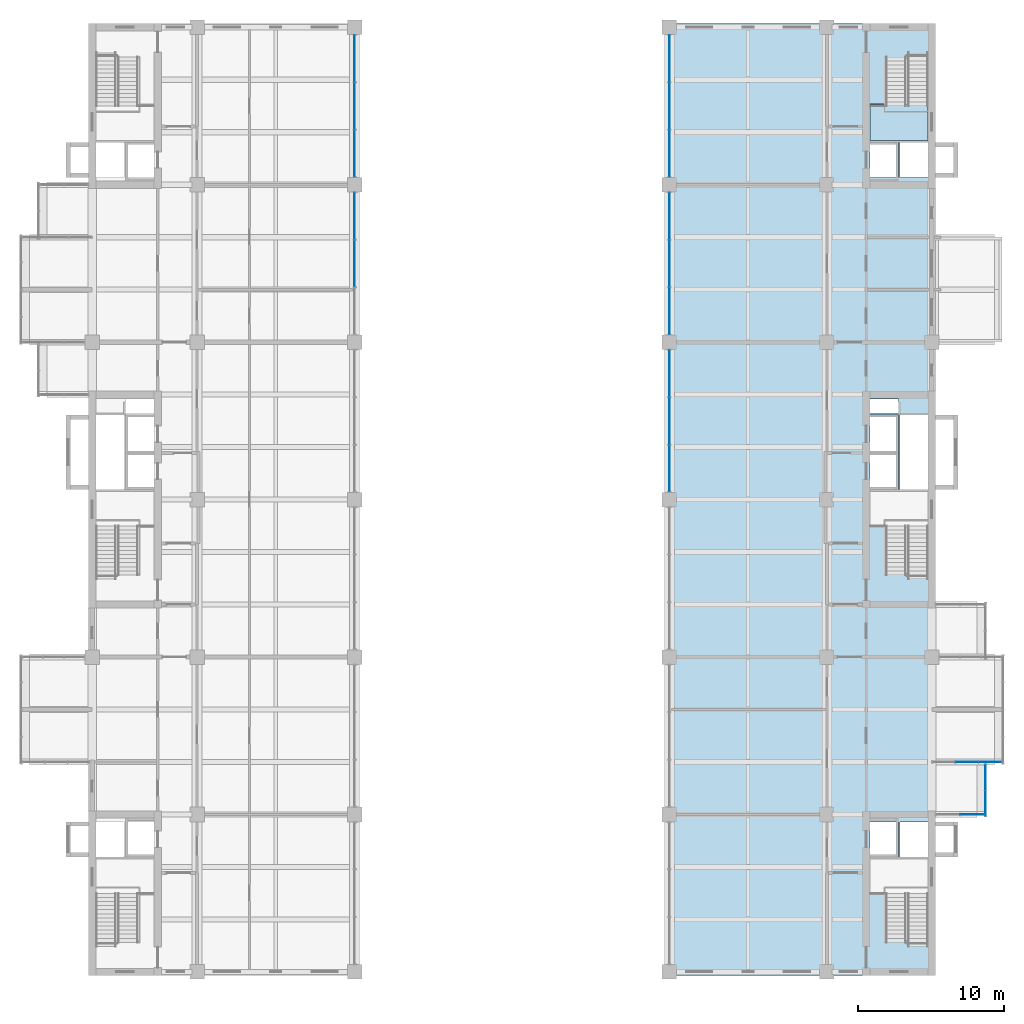
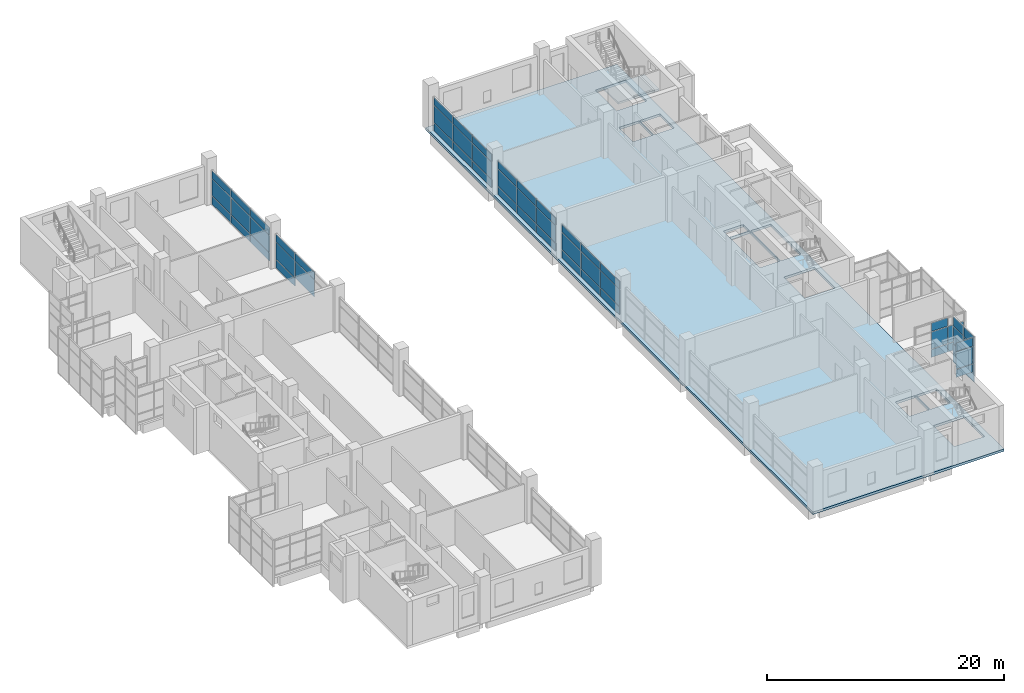
# One storey, part 19 of 30: 55 plates, 2 slabs, 9 elements without a shape of their own.
"""IFC4 building model written with IfcOpenShell, lengths in metres."""

from ifc_helpers import new_model, si_unit, direction, frame, origin, origin_2d, place, context, subcontext, project, spatial, polyline, rectangle, outline, extrude, material, layer, layer_set, type_object, element, aggregate, save


model = new_model("IFC4")

# Units and contexts
model_context = context("Model", 3, precision=1e-05, world=origin(), true_north=direction((0.0, 1.0)))
body_context = subcontext(model_context, "Body", "Model", "MODEL_VIEW")
ifc_project = project(units=[si_unit("LENGTHUNIT", "METRE"), si_unit("AREAUNIT", "SQUARE_METRE"), si_unit("VOLUMEUNIT", "CUBIC_METRE"), si_unit("PLANEANGLEUNIT", "RADIAN"), si_unit("MASSUNIT", "GRAM", prefix="KILO")], contexts=[model_context])

# Site, building, storey
site_placement = place(None, origin())
site = spatial("IfcSite", under=ifc_project, at=site_placement, CompositionType="ELEMENT")
building_placement = place(site_placement, origin())
building = spatial("IfcBuilding", under=site, at=building_placement, Name="Basin Gate Institute", CompositionType="ELEMENT")
storey_placement = place(building_placement, frame((0.0, 0.0, 36.60009765625)))
storey = spatial("IfcBuildingStorey", under=building, at=storey_placement, Name="L07", CompositionType="ELEMENT", Elevation=36.60009765625)

# Slab
ifc_material_1 = material(Name="Concrete 40 MPa", Category="concrete")
ifc_layer_1 = layer(ifc_material_1, 0.25)
ifc_layer_set_1 = layer_set([ifc_layer_1], Name="Concrete 40 MPa")
slab_type_1 = type_object("IfcSlabType", Name="Slab SL4 R120", PredefinedType="FLOOR", material=ifc_layer_set_1)
slab_1_placement = place(storey_placement, frame((0.0, 0.0, -0.25)))
element("IfcSlab", 1, at=slab_1_placement, inside=storey, type_object=slab_type_1, material=ifc_layer_set_1, Name="SLAB/L07/E", PredefinedType="FLOOR", context=body_context, shape_type="SweptSolid", body=[
    extrude(outline(polyline([(119.050048828125, 100.14990234375), (100.449951171875, 100.14990234375), (100.449951171875, 34.85009765625), (119.050048828125, 34.85009765625), (119.050048828125, 100.14990234375)]), holes=[polyline([(118.550048828125, 40.7900390625), (115.60009765625, 40.7900390625), (115.60009765625, 37.25), (118.550048828125, 37.25), (118.550048828125, 40.7900390625)]), polyline([(118.550048828125, 65.989990234375), (115.60009765625, 65.989990234375), (115.60009765625, 62.449951171875), (118.550048828125, 62.449951171875), (118.550048828125, 65.989990234375)]), polyline([(118.550048828125, 97.75), (115.60009765625, 97.75), (115.60009765625, 94.2099609375), (118.550048828125, 94.2099609375), (118.550048828125, 97.75)]), polyline([(118.550048828125, 45.39990234375), (116.60009765625, 45.39990234375), (116.60009765625, 43.0), (118.550048828125, 43.0), (118.550048828125, 45.39990234375)]), polyline([(118.550048828125, 73.300048828125), (116.60009765625, 73.300048828125), (116.60009765625, 68.199951171875), (118.550048828125, 68.199951171875), (118.550048828125, 73.300048828125)]), polyline([(116.5, 74.39990234375), (114.550048828125, 74.39990234375), (114.550048828125, 73.39990234375), (116.5, 73.39990234375), (116.5, 74.39990234375)]), polyline([(118.550048828125, 92.0), (116.60009765625, 92.0), (116.60009765625, 89.60009765625), (118.550048828125, 89.60009765625), (118.550048828125, 92.0)]), polyline([(116.5, 45.39990234375), (114.550048828125, 45.39990234375), (114.550048828125, 43.0), (116.5, 43.0), (116.5, 45.39990234375)]), polyline([(116.5, 68.199951171875), (114.550048828125, 68.199951171875), (114.550048828125, 73.300048828125), (116.5, 73.300048828125), (116.5, 68.199951171875)]), polyline([(116.5, 92.0), (114.550048828125, 92.0), (114.550048828125, 89.60009765625), (116.5, 89.60009765625), (116.5, 92.0)])]), origin(), (0.0, 0.0, 1.0), 0.25),
])

# Curtain wall, plates
ifc_material_2 = material(Name="Aluminium-framed glazing", Category="aluminium")
ifc_layer_2 = layer(ifc_material_2, 0.199951171875)
ifc_layer_set_2 = layer_set([ifc_layer_2], Name="Atrium curtain wall CW2")
curtain_wall_type_1 = type_object("IfcCurtainWallType", Name="Atrium curtain wall CW2", PredefinedType="NOTDEFINED", material=ifc_layer_set_2)
curtain_wall_1_placement = place(storey_placement, origin())
curtain_wall_1 = element("IfcCurtainWall", 2, at=curtain_wall_1_placement, inside=storey, type_object=curtain_wall_type_1, material=ifc_layer_set_2, Name="Atrium curtain wall W wing atrium bay 5 L07", PredefinedType="NOTDEFINED")
ifc_material_3 = material(Name="Aluminium insulated spandrel panel", Category="aluminium")
ifc_layer_3 = layer(ifc_material_3, 0.050048828125)
ifc_layer_set_3 = layer_set([ifc_layer_3], Name="Spandrel panel PN2")
plate_type_1 = type_object("IfcPlateType", Name="Spandrel panel PN2", PredefinedType="CURTAIN_PANEL", material=ifc_layer_set_3)
plate_1_placement = place(storey_placement, frame((79.199951171875, 83.699951171875, 2.72998046875), z_axis=(0.0, 0.0, 1.0), x_axis=(0.0, 1.0, 0.0)))
plate_1 = element("IfcPlate", 3, at=plate_1_placement, type_object=plate_type_1, material=ifc_layer_set_3, Name="CW2 spandrel panel 2.3", PredefinedType="CURTAIN_PANEL", context=body_context, shape_type="SweptSolid", body=[
    extrude(rectangle(XDim=3.206787109375, YDim=0.050048828125, at=origin_2d()), origin(), (0.0, 0.0, 1.0), 0.760009765625),
])
plate_2_placement = place(storey_placement, frame((79.199951171875, 86.95166015625, 0.059814453125), z_axis=(0.0, 0.0, 1.0), x_axis=(0.0, 1.0, 0.0)))
plate_2 = element("IfcPlate", 4, at=plate_2_placement, type_object=plate_type_1, material=ifc_layer_set_3, Name="CW2 spandrel panel 3.1", PredefinedType="CURTAIN_PANEL", context=body_context, shape_type="SweptSolid", body=[
    extrude(rectangle(XDim=3.1767578125, YDim=0.050048828125, at=origin_2d()), origin(), (0.0, 0.0, 1.0), 0.81005859375),
])
plate_3_placement = place(storey_placement, frame((79.199951171875, 86.95166015625, 2.72998046875), z_axis=(0.0, 0.0, 1.0), x_axis=(0.0, 1.0, 0.0)))
plate_3 = element("IfcPlate", 5, at=plate_3_placement, type_object=plate_type_1, material=ifc_layer_set_3, Name="CW2 spandrel panel 3.3", PredefinedType="CURTAIN_PANEL", context=body_context, shape_type="SweptSolid", body=[
    extrude(rectangle(XDim=3.1767578125, YDim=0.050048828125, at=origin_2d()), origin(), (0.0, 0.0, 1.0), 0.760009765625),
])

curtain_wall_2_placement = place(storey_placement, origin())
curtain_wall_2 = element("IfcCurtainWall", 6, at=curtain_wall_2_placement, inside=storey, type_object=curtain_wall_type_1, material=ifc_layer_set_2, Name="Atrium curtain wall W wing atrium bay 6 L07", PredefinedType="NOTDEFINED")
plate_4_placement = place(storey_placement, frame((79.199951171875, 91.248291015625, 0.059814453125), z_axis=(0.0, 0.0, 1.0), x_axis=(0.0, 1.0, 0.0)))
plate_4 = element("IfcPlate", 7, at=plate_4_placement, type_object=plate_type_1, material=ifc_layer_set_3, Name="CW2 spandrel panel 1.1", PredefinedType="CURTAIN_PANEL", context=body_context, shape_type="SweptSolid", body=[
    extrude(rectangle(XDim=3.1767578125, YDim=0.050048828125, at=origin_2d()), origin(), (0.0, 0.0, 1.0), 0.81005859375),
])
plate_5_placement = place(storey_placement, frame((79.199951171875, 91.248291015625, 2.72998046875), z_axis=(0.0, 0.0, 1.0), x_axis=(0.0, 1.0, 0.0)))
plate_5 = element("IfcPlate", 8, at=plate_5_placement, type_object=plate_type_1, material=ifc_layer_set_3, Name="CW2 spandrel panel 1.3", PredefinedType="CURTAIN_PANEL", context=body_context, shape_type="SweptSolid", body=[
    extrude(rectangle(XDim=3.1767578125, YDim=0.050048828125, at=origin_2d()), origin(), (0.0, 0.0, 1.0), 0.760009765625),
])
plate_6_placement = place(storey_placement, frame((79.199951171875, 94.5, 0.059814453125), z_axis=(0.0, 0.0, 1.0), x_axis=(0.0, 1.0, 0.0)))
plate_6 = element("IfcPlate", 9, at=plate_6_placement, type_object=plate_type_1, material=ifc_layer_set_3, Name="CW2 spandrel panel 2.1", PredefinedType="CURTAIN_PANEL", context=body_context, shape_type="SweptSolid", body=[
    extrude(rectangle(XDim=3.206787109375, YDim=0.050048828125, at=origin_2d()), origin(), (0.0, 0.0, 1.0), 0.81005859375),
])
plate_7_placement = place(storey_placement, frame((79.199951171875, 94.5, 2.72998046875), z_axis=(0.0, 0.0, 1.0), x_axis=(0.0, 1.0, 0.0)))
plate_7 = element("IfcPlate", 10, at=plate_7_placement, type_object=plate_type_1, material=ifc_layer_set_3, Name="CW2 spandrel panel 2.3", PredefinedType="CURTAIN_PANEL", context=body_context, shape_type="SweptSolid", body=[
    extrude(rectangle(XDim=3.206787109375, YDim=0.050048828125, at=origin_2d()), origin(), (0.0, 0.0, 1.0), 0.760009765625),
])
plate_8_placement = place(storey_placement, frame((79.199951171875, 97.751708984375, 0.059814453125), z_axis=(0.0, 0.0, 1.0), x_axis=(0.0, 1.0, 0.0)))
plate_8 = element("IfcPlate", 11, at=plate_8_placement, type_object=plate_type_1, material=ifc_layer_set_3, Name="CW2 spandrel panel 3.1", PredefinedType="CURTAIN_PANEL", context=body_context, shape_type="SweptSolid", body=[
    extrude(rectangle(XDim=3.1767578125, YDim=0.050048828125, at=origin_2d()), origin(), (0.0, 0.0, 1.0), 0.81005859375),
])
plate_9_placement = place(storey_placement, frame((79.199951171875, 97.751708984375, 2.72998046875), z_axis=(0.0, 0.0, 1.0), x_axis=(0.0, 1.0, 0.0)))
plate_9 = element("IfcPlate", 12, at=plate_9_placement, type_object=plate_type_1, material=ifc_layer_set_3, Name="CW2 spandrel panel 3.3", PredefinedType="CURTAIN_PANEL", context=body_context, shape_type="SweptSolid", body=[
    extrude(rectangle(XDim=3.1767578125, YDim=0.050048828125, at=origin_2d()), origin(), (0.0, 0.0, 1.0), 0.760009765625),
])

curtain_wall_3_placement = place(storey_placement, origin())
curtain_wall_3 = element("IfcCurtainWall", 13, at=curtain_wall_3_placement, inside=storey, type_object=curtain_wall_type_1, material=ifc_layer_set_2, Name="Atrium curtain wall E wing atrium bay 4 L07", PredefinedType="NOTDEFINED")
plate_10_placement = place(storey_placement, frame((100.800048828125, 69.6484375, 0.059814453125), z_axis=(0.0, 0.0, 1.0), x_axis=(0.0, 1.0, 0.0)))
plate_10 = element("IfcPlate", 14, at=plate_10_placement, type_object=plate_type_1, material=ifc_layer_set_3, Name="CW2 spandrel panel 1.1", PredefinedType="CURTAIN_PANEL", context=body_context, shape_type="SweptSolid", body=[
    extrude(rectangle(XDim=3.1767578125, YDim=0.050048828125, at=origin_2d()), origin(), (0.0, 0.0, 1.0), 0.81005859375),
])
plate_11_placement = place(storey_placement, frame((100.800048828125, 69.6484375, 2.72998046875), z_axis=(0.0, 0.0, 1.0), x_axis=(0.0, 1.0, 0.0)))
plate_11 = element("IfcPlate", 15, at=plate_11_placement, type_object=plate_type_1, material=ifc_layer_set_3, Name="CW2 spandrel panel 1.3", PredefinedType="CURTAIN_PANEL", context=body_context, shape_type="SweptSolid", body=[
    extrude(rectangle(XDim=3.1767578125, YDim=0.050048828125, at=origin_2d()), origin(), (0.0, 0.0, 1.0), 0.760009765625),
])
plate_12_placement = place(storey_placement, frame((100.800048828125, 72.89990234375, 0.059814453125), z_axis=(0.0, 0.0, 1.0), x_axis=(0.0, 1.0, 0.0)))
plate_12 = element("IfcPlate", 16, at=plate_12_placement, type_object=plate_type_1, material=ifc_layer_set_3, Name="CW2 spandrel panel 2.1", PredefinedType="CURTAIN_PANEL", context=body_context, shape_type="SweptSolid", body=[
    extrude(rectangle(XDim=3.206787109375, YDim=0.050048828125, at=origin_2d()), origin(), (0.0, 0.0, 1.0), 0.81005859375),
])
plate_13_placement = place(storey_placement, frame((100.800048828125, 72.89990234375, 2.72998046875), z_axis=(0.0, 0.0, 1.0), x_axis=(0.0, 1.0, 0.0)))
plate_13 = element("IfcPlate", 17, at=plate_13_placement, type_object=plate_type_1, material=ifc_layer_set_3, Name="CW2 spandrel panel 2.3", PredefinedType="CURTAIN_PANEL", context=body_context, shape_type="SweptSolid", body=[
    extrude(rectangle(XDim=3.206787109375, YDim=0.050048828125, at=origin_2d()), origin(), (0.0, 0.0, 1.0), 0.760009765625),
])
plate_14_placement = place(storey_placement, frame((100.800048828125, 76.151611328125, 0.059814453125), z_axis=(0.0, 0.0, 1.0), x_axis=(0.0, 1.0, 0.0)))
plate_14 = element("IfcPlate", 18, at=plate_14_placement, type_object=plate_type_1, material=ifc_layer_set_3, Name="CW2 spandrel panel 3.1", PredefinedType="CURTAIN_PANEL", context=body_context, shape_type="SweptSolid", body=[
    extrude(rectangle(XDim=3.1767578125, YDim=0.050048828125, at=origin_2d()), origin(), (0.0, 0.0, 1.0), 0.81005859375),
])
plate_15_placement = place(storey_placement, frame((100.800048828125, 76.151611328125, 2.72998046875), z_axis=(0.0, 0.0, 1.0), x_axis=(0.0, 1.0, 0.0)))
plate_15 = element("IfcPlate", 19, at=plate_15_placement, type_object=plate_type_1, material=ifc_layer_set_3, Name="CW2 spandrel panel 3.3", PredefinedType="CURTAIN_PANEL", context=body_context, shape_type="SweptSolid", body=[
    extrude(rectangle(XDim=3.1767578125, YDim=0.050048828125, at=origin_2d()), origin(), (0.0, 0.0, 1.0), 0.760009765625),
])

curtain_wall_4_placement = place(storey_placement, origin())
curtain_wall_4 = element("IfcCurtainWall", 20, at=curtain_wall_4_placement, inside=storey, type_object=curtain_wall_type_1, material=ifc_layer_set_2, Name="Atrium curtain wall E wing atrium bay 5 L07", PredefinedType="NOTDEFINED")
plate_16_placement = place(storey_placement, frame((100.800048828125, 80.4482421875, 0.059814453125), z_axis=(0.0, 0.0, 1.0), x_axis=(0.0, 1.0, 0.0)))
plate_16 = element("IfcPlate", 21, at=plate_16_placement, type_object=plate_type_1, material=ifc_layer_set_3, Name="CW2 spandrel panel 1.1", PredefinedType="CURTAIN_PANEL", context=body_context, shape_type="SweptSolid", body=[
    extrude(rectangle(XDim=3.1767578125, YDim=0.050048828125, at=origin_2d()), origin(), (0.0, 0.0, 1.0), 0.81005859375),
])
plate_17_placement = place(storey_placement, frame((100.800048828125, 80.4482421875, 2.72998046875), z_axis=(0.0, 0.0, 1.0), x_axis=(0.0, 1.0, 0.0)))
plate_17 = element("IfcPlate", 22, at=plate_17_placement, type_object=plate_type_1, material=ifc_layer_set_3, Name="CW2 spandrel panel 1.3", PredefinedType="CURTAIN_PANEL", context=body_context, shape_type="SweptSolid", body=[
    extrude(rectangle(XDim=3.1767578125, YDim=0.050048828125, at=origin_2d()), origin(), (0.0, 0.0, 1.0), 0.760009765625),
])
plate_18_placement = place(storey_placement, frame((100.800048828125, 83.699951171875, 0.059814453125), z_axis=(0.0, 0.0, 1.0), x_axis=(0.0, 1.0, 0.0)))
plate_18 = element("IfcPlate", 23, at=plate_18_placement, type_object=plate_type_1, material=ifc_layer_set_3, Name="CW2 spandrel panel 2.1", PredefinedType="CURTAIN_PANEL", context=body_context, shape_type="SweptSolid", body=[
    extrude(rectangle(XDim=3.206787109375, YDim=0.050048828125, at=origin_2d()), origin(), (0.0, 0.0, 1.0), 0.81005859375),
])
plate_19_placement = place(storey_placement, frame((100.800048828125, 83.699951171875, 2.72998046875), z_axis=(0.0, 0.0, 1.0), x_axis=(0.0, 1.0, 0.0)))
plate_19 = element("IfcPlate", 24, at=plate_19_placement, type_object=plate_type_1, material=ifc_layer_set_3, Name="CW2 spandrel panel 2.3", PredefinedType="CURTAIN_PANEL", context=body_context, shape_type="SweptSolid", body=[
    extrude(rectangle(XDim=3.206787109375, YDim=0.050048828125, at=origin_2d()), origin(), (0.0, 0.0, 1.0), 0.760009765625),
])
plate_20_placement = place(storey_placement, frame((100.800048828125, 86.95166015625, 0.059814453125), z_axis=(0.0, 0.0, 1.0), x_axis=(0.0, 1.0, 0.0)))
plate_20 = element("IfcPlate", 25, at=plate_20_placement, type_object=plate_type_1, material=ifc_layer_set_3, Name="CW2 spandrel panel 3.1", PredefinedType="CURTAIN_PANEL", context=body_context, shape_type="SweptSolid", body=[
    extrude(rectangle(XDim=3.1767578125, YDim=0.050048828125, at=origin_2d()), origin(), (0.0, 0.0, 1.0), 0.81005859375),
])
plate_21_placement = place(storey_placement, frame((100.800048828125, 86.95166015625, 2.72998046875), z_axis=(0.0, 0.0, 1.0), x_axis=(0.0, 1.0, 0.0)))
plate_21 = element("IfcPlate", 26, at=plate_21_placement, type_object=plate_type_1, material=ifc_layer_set_3, Name="CW2 spandrel panel 3.3", PredefinedType="CURTAIN_PANEL", context=body_context, shape_type="SweptSolid", body=[
    extrude(rectangle(XDim=3.1767578125, YDim=0.050048828125, at=origin_2d()), origin(), (0.0, 0.0, 1.0), 0.760009765625),
])

curtain_wall_5_placement = place(storey_placement, origin())
curtain_wall_5 = element("IfcCurtainWall", 27, at=curtain_wall_5_placement, inside=storey, type_object=curtain_wall_type_1, material=ifc_layer_set_2, Name="Atrium curtain wall E wing atrium bay 6 L07", PredefinedType="NOTDEFINED")
plate_22_placement = place(storey_placement, frame((100.800048828125, 91.248291015625, 0.059814453125), z_axis=(0.0, 0.0, 1.0), x_axis=(0.0, 1.0, 0.0)))
plate_22 = element("IfcPlate", 28, at=plate_22_placement, type_object=plate_type_1, material=ifc_layer_set_3, Name="CW2 spandrel panel 1.1", PredefinedType="CURTAIN_PANEL", context=body_context, shape_type="SweptSolid", body=[
    extrude(rectangle(XDim=3.1767578125, YDim=0.050048828125, at=origin_2d()), origin(), (0.0, 0.0, 1.0), 0.81005859375),
])
plate_23_placement = place(storey_placement, frame((100.800048828125, 91.248291015625, 2.72998046875), z_axis=(0.0, 0.0, 1.0), x_axis=(0.0, 1.0, 0.0)))
plate_23 = element("IfcPlate", 29, at=plate_23_placement, type_object=plate_type_1, material=ifc_layer_set_3, Name="CW2 spandrel panel 1.3", PredefinedType="CURTAIN_PANEL", context=body_context, shape_type="SweptSolid", body=[
    extrude(rectangle(XDim=3.1767578125, YDim=0.050048828125, at=origin_2d()), origin(), (0.0, 0.0, 1.0), 0.760009765625),
])
plate_24_placement = place(storey_placement, frame((100.800048828125, 94.5, 0.059814453125), z_axis=(0.0, 0.0, 1.0), x_axis=(0.0, 1.0, 0.0)))
plate_24 = element("IfcPlate", 30, at=plate_24_placement, type_object=plate_type_1, material=ifc_layer_set_3, Name="CW2 spandrel panel 2.1", PredefinedType="CURTAIN_PANEL", context=body_context, shape_type="SweptSolid", body=[
    extrude(rectangle(XDim=3.206787109375, YDim=0.050048828125, at=origin_2d()), origin(), (0.0, 0.0, 1.0), 0.81005859375),
])
plate_25_placement = place(storey_placement, frame((100.800048828125, 94.5, 2.72998046875), z_axis=(0.0, 0.0, 1.0), x_axis=(0.0, 1.0, 0.0)))
plate_25 = element("IfcPlate", 31, at=plate_25_placement, type_object=plate_type_1, material=ifc_layer_set_3, Name="CW2 spandrel panel 2.3", PredefinedType="CURTAIN_PANEL", context=body_context, shape_type="SweptSolid", body=[
    extrude(rectangle(XDim=3.206787109375, YDim=0.050048828125, at=origin_2d()), origin(), (0.0, 0.0, 1.0), 0.760009765625),
])
plate_26_placement = place(storey_placement, frame((100.800048828125, 97.751708984375, 0.059814453125), z_axis=(0.0, 0.0, 1.0), x_axis=(0.0, 1.0, 0.0)))
plate_26 = element("IfcPlate", 32, at=plate_26_placement, type_object=plate_type_1, material=ifc_layer_set_3, Name="CW2 spandrel panel 3.1", PredefinedType="CURTAIN_PANEL", context=body_context, shape_type="SweptSolid", body=[
    extrude(rectangle(XDim=3.1767578125, YDim=0.050048828125, at=origin_2d()), origin(), (0.0, 0.0, 1.0), 0.81005859375),
])
plate_27_placement = place(storey_placement, frame((100.800048828125, 97.751708984375, 2.72998046875), z_axis=(0.0, 0.0, 1.0), x_axis=(0.0, 1.0, 0.0)))
plate_27 = element("IfcPlate", 33, at=plate_27_placement, type_object=plate_type_1, material=ifc_layer_set_3, Name="CW2 spandrel panel 3.3", PredefinedType="CURTAIN_PANEL", context=body_context, shape_type="SweptSolid", body=[
    extrude(rectangle(XDim=3.1767578125, YDim=0.050048828125, at=origin_2d()), origin(), (0.0, 0.0, 1.0), 0.760009765625),
])

# Curtain wall, plate
ifc_material_4 = material(Name="Aluminium-framed glazing", Category="aluminium")
ifc_layer_4 = layer(ifc_material_4, 0.14990234375)
ifc_layer_set_4 = layer_set([ifc_layer_4], Name="Capsule front curtain wall CW1")
curtain_wall_type_2 = type_object("IfcCurtainWallType", Name="Capsule front curtain wall CW1", PredefinedType="NOTDEFINED", material=ifc_layer_set_4)
curtain_wall_6_placement = place(storey_placement, origin())
curtain_wall_6 = element("IfcCurtainWall", 34, at=curtain_wall_6_placement, inside=storey, type_object=curtain_wall_type_2, material=ifc_layer_set_4, Name="Capsule front curtain wall E wing capsule end L07 line 4", PredefinedType="NOTDEFINED")
plate_28_placement = place(storey_placement, frame((121.550048828125, 45.89990234375, 0.059814453125), z_axis=(0.0, 0.0, 1.0), x_axis=(-1.0, 0.0, 0.0)))
plate_28 = element("IfcPlate", 35, at=plate_28_placement, type_object=plate_type_1, material=ifc_layer_set_3, Name="CW1 spandrel panel 1.1", PredefinedType="CURTAIN_PANEL", context=body_context, shape_type="SweptSolid", body=[
    extrude(rectangle(XDim=1.60009765625, YDim=0.050048828125, at=origin_2d()), origin(), (0.0, 0.0, 1.0), 0.81005859375),
])

# Curtain wall, plates
curtain_wall_7_placement = place(storey_placement, origin())
curtain_wall_7 = element("IfcCurtainWall", 36, at=curtain_wall_7_placement, inside=storey, type_object=curtain_wall_type_2, material=ifc_layer_set_4, Name="Capsule front curtain wall E wing capsule end L07 line 5", PredefinedType="NOTDEFINED")
plate_29_placement = place(storey_placement, frame((122.78759765625, 49.5, 0.059814453125), z_axis=(0.0, 0.0, 1.0), x_axis=(-1.0, 0.0, 0.0)))
plate_29 = element("IfcPlate", 37, at=plate_29_placement, type_object=plate_type_1, material=ifc_layer_set_3, Name="CW1 spandrel panel 1.1", PredefinedType="CURTAIN_PANEL", context=body_context, shape_type="SweptSolid", body=[
    extrude(rectangle(XDim=1.52490234375, YDim=0.050048828125, at=origin_2d()), origin(), (0.0, 0.0, 1.0), 0.81005859375),
])
plate_30_placement = place(storey_placement, frame((121.199951171875, 49.5, 0.059814453125), z_axis=(0.0, 0.0, 1.0), x_axis=(-1.0, 0.0, 0.0)))
plate_30 = element("IfcPlate", 38, at=plate_30_placement, type_object=plate_type_1, material=ifc_layer_set_3, Name="CW1 spandrel panel 2.1", PredefinedType="CURTAIN_PANEL", context=body_context, shape_type="SweptSolid", body=[
    extrude(rectangle(XDim=1.550048828125, YDim=0.050048828125, at=origin_2d()), origin(), (0.0, 0.0, 1.0), 0.81005859375),
])

curtain_wall_8_placement = place(storey_placement, origin())
curtain_wall_8 = element("IfcCurtainWall", 39, at=curtain_wall_8_placement, inside=storey, type_object=curtain_wall_type_2, material=ifc_layer_set_4, Name="Capsule front curtain wall E wing capsule 1 L07 front 1", PredefinedType="NOTDEFINED")
plate_31_placement = place(storey_placement, frame((122.47509765625, 46.66259765625, -0.990234375), z_axis=(0.0, 0.0, 1.0), x_axis=(0.0, 1.0, 0.0)))
plate_31 = element("IfcPlate", 40, at=plate_31_placement, type_object=plate_type_1, material=ifc_layer_set_3, Name="CW1 spandrel panel 1.1", PredefinedType="CURTAIN_PANEL", context=body_context, shape_type="SweptSolid", body=[
    extrude(rectangle(XDim=1.72509765625, YDim=0.050048828125, at=origin_2d()), origin(), (0.0, 0.0, 1.0), 1.860107421875),
])
plate_32_placement = place(storey_placement, frame((122.47509765625, 48.4375, -0.990234375), z_axis=(0.0, 0.0, 1.0), x_axis=(0.0, 1.0, 0.0)))
plate_32 = element("IfcPlate", 41, at=plate_32_placement, type_object=plate_type_1, material=ifc_layer_set_3, Name="CW1 spandrel panel 2.1", PredefinedType="CURTAIN_PANEL", context=body_context, shape_type="SweptSolid", body=[
    extrude(rectangle(XDim=1.72509765625, YDim=0.050048828125, at=origin_2d()), origin(), (0.0, 0.0, 1.0), 1.860107421875),
])

# Stair, slab
ifc_material_5 = material(Name="Concrete 40 MPa", Category="concrete")
stair_type = type_object("IfcStairType", Name="Stair ST", PredefinedType="HALF_TURN_STAIR", material=ifc_material_5)
stair_placement = place(storey_placement, origin())
stair = element("IfcStair", 42, at=stair_placement, inside=storey, type_object=stair_type, material=ifc_material_5, Name="Special safe stair ST-EN L07", PredefinedType="HALF_TURN_STAIR")
ifc_material_6 = material(Name="Concrete 40 MPa", Category="concrete")
ifc_layer_5 = layer(ifc_material_6, 0.199951171875)
ifc_layer_set_5 = layer_set([ifc_layer_5], Name="Concrete 40 MPa")
slab_type_2 = type_object("IfcSlabType", Name="Stair landing LN REI 120", PredefinedType="LANDING", material=ifc_layer_set_5)
slab_2_placement = place(storey_placement, frame((0.0, 0.0, 2.288818359375)))
slab_2 = element("IfcSlab", 43, at=slab_2_placement, type_object=slab_type_2, material=ifc_layer_set_5, Name="Stair landing ST-EN-L1 L07", PredefinedType="LANDING", context=body_context, shape_type="SweptSolid", body=[
    extrude(outline(polyline([(118.550048828125, 94.6298828125), (114.550048828125, 94.6298828125), (114.550048828125, 92.14990234375), (118.550048828125, 92.14990234375), (118.550048828125, 94.6298828125)])), origin(), (0.0, 0.0, 1.0), 0.199951171875),
])
aggregate(stair, [slab_2])

# Plate
ifc_material_7 = material(Name="Double glazed unit")
ifc_layer_6 = layer(ifc_material_7, 0.028076171875)
ifc_layer_set_6 = layer_set([ifc_layer_6], Name="Vision panel PN1")
plate_type_2 = type_object("IfcPlateType", Name="Vision panel PN1", PredefinedType="CURTAIN_PANEL", material=ifc_layer_set_6)
plate_33_placement = place(storey_placement, frame((79.199951171875, 83.699951171875, 0.9296875), z_axis=(0.0, 0.0, 1.0), x_axis=(0.0, 1.0, 0.0)))
plate_33 = element("IfcPlate", 44, at=plate_33_placement, type_object=plate_type_2, material=ifc_layer_set_6, Name="CW2 vision panel 2.2", PredefinedType="CURTAIN_PANEL", context=body_context, shape_type="SweptSolid", body=[
    extrude(rectangle(XDim=3.206787109375, YDim=0.028076171875, at=origin_2d()), origin(), (0.0, 0.0, 1.0), 1.739990234375),
])

plate_34_placement = place(storey_placement, frame((79.199951171875, 86.95166015625, 0.9296875), z_axis=(0.0, 0.0, 1.0), x_axis=(0.0, 1.0, 0.0)))
plate_34 = element("IfcPlate", 45, at=plate_34_placement, type_object=plate_type_2, material=ifc_layer_set_6, Name="CW2 vision panel 3.2", PredefinedType="CURTAIN_PANEL", context=body_context, shape_type="SweptSolid", body=[
    extrude(rectangle(XDim=3.1767578125, YDim=0.028076171875, at=origin_2d()), origin(), (0.0, 0.0, 1.0), 1.739990234375),
])

aggregate(curtain_wall_1, [plate_33, plate_1, plate_2, plate_34, plate_3])

plate_35_placement = place(storey_placement, frame((79.199951171875, 91.248291015625, 0.9296875), z_axis=(0.0, 0.0, 1.0), x_axis=(0.0, 1.0, 0.0)))
plate_35 = element("IfcPlate", 46, at=plate_35_placement, type_object=plate_type_2, material=ifc_layer_set_6, Name="CW2 vision panel 1.2", PredefinedType="CURTAIN_PANEL", context=body_context, shape_type="SweptSolid", body=[
    extrude(rectangle(XDim=3.1767578125, YDim=0.028076171875, at=origin_2d()), origin(), (0.0, 0.0, 1.0), 1.739990234375),
])

plate_36_placement = place(storey_placement, frame((79.199951171875, 94.5, 0.9296875), z_axis=(0.0, 0.0, 1.0), x_axis=(0.0, 1.0, 0.0)))
plate_36 = element("IfcPlate", 47, at=plate_36_placement, type_object=plate_type_2, material=ifc_layer_set_6, Name="CW2 vision panel 2.2", PredefinedType="CURTAIN_PANEL", context=body_context, shape_type="SweptSolid", body=[
    extrude(rectangle(XDim=3.206787109375, YDim=0.028076171875, at=origin_2d()), origin(), (0.0, 0.0, 1.0), 1.739990234375),
])

plate_37_placement = place(storey_placement, frame((79.199951171875, 97.751708984375, 0.9296875), z_axis=(0.0, 0.0, 1.0), x_axis=(0.0, 1.0, 0.0)))
plate_37 = element("IfcPlate", 48, at=plate_37_placement, type_object=plate_type_2, material=ifc_layer_set_6, Name="CW2 vision panel 3.2", PredefinedType="CURTAIN_PANEL", context=body_context, shape_type="SweptSolid", body=[
    extrude(rectangle(XDim=3.1767578125, YDim=0.028076171875, at=origin_2d()), origin(), (0.0, 0.0, 1.0), 1.739990234375),
])

aggregate(curtain_wall_2, [plate_4, plate_35, plate_5, plate_6, plate_36, plate_7, plate_8, plate_37, plate_9])

plate_38_placement = place(storey_placement, frame((100.800048828125, 69.6484375, 0.9296875), z_axis=(0.0, 0.0, 1.0), x_axis=(0.0, 1.0, 0.0)))
plate_38 = element("IfcPlate", 49, at=plate_38_placement, type_object=plate_type_2, material=ifc_layer_set_6, Name="CW2 vision panel 1.2", PredefinedType="CURTAIN_PANEL", context=body_context, shape_type="SweptSolid", body=[
    extrude(rectangle(XDim=3.1767578125, YDim=0.028076171875, at=origin_2d()), origin(), (0.0, 0.0, 1.0), 1.739990234375),
])

plate_39_placement = place(storey_placement, frame((100.800048828125, 72.89990234375, 0.9296875), z_axis=(0.0, 0.0, 1.0), x_axis=(0.0, 1.0, 0.0)))
plate_39 = element("IfcPlate", 50, at=plate_39_placement, type_object=plate_type_2, material=ifc_layer_set_6, Name="CW2 vision panel 2.2", PredefinedType="CURTAIN_PANEL", context=body_context, shape_type="SweptSolid", body=[
    extrude(rectangle(XDim=3.206787109375, YDim=0.028076171875, at=origin_2d()), origin(), (0.0, 0.0, 1.0), 1.739990234375),
])

plate_40_placement = place(storey_placement, frame((100.800048828125, 76.151611328125, 0.9296875), z_axis=(0.0, 0.0, 1.0), x_axis=(0.0, 1.0, 0.0)))
plate_40 = element("IfcPlate", 51, at=plate_40_placement, type_object=plate_type_2, material=ifc_layer_set_6, Name="CW2 vision panel 3.2", PredefinedType="CURTAIN_PANEL", context=body_context, shape_type="SweptSolid", body=[
    extrude(rectangle(XDim=3.1767578125, YDim=0.028076171875, at=origin_2d()), origin(), (0.0, 0.0, 1.0), 1.739990234375),
])

aggregate(curtain_wall_3, [plate_10, plate_38, plate_11, plate_12, plate_39, plate_13, plate_14, plate_40, plate_15])

plate_41_placement = place(storey_placement, frame((100.800048828125, 80.4482421875, 0.9296875), z_axis=(0.0, 0.0, 1.0), x_axis=(0.0, 1.0, 0.0)))
plate_41 = element("IfcPlate", 52, at=plate_41_placement, type_object=plate_type_2, material=ifc_layer_set_6, Name="CW2 vision panel 1.2", PredefinedType="CURTAIN_PANEL", context=body_context, shape_type="SweptSolid", body=[
    extrude(rectangle(XDim=3.1767578125, YDim=0.028076171875, at=origin_2d()), origin(), (0.0, 0.0, 1.0), 1.739990234375),
])

plate_42_placement = place(storey_placement, frame((100.800048828125, 83.699951171875, 0.9296875), z_axis=(0.0, 0.0, 1.0), x_axis=(0.0, 1.0, 0.0)))
plate_42 = element("IfcPlate", 53, at=plate_42_placement, type_object=plate_type_2, material=ifc_layer_set_6, Name="CW2 vision panel 2.2", PredefinedType="CURTAIN_PANEL", context=body_context, shape_type="SweptSolid", body=[
    extrude(rectangle(XDim=3.206787109375, YDim=0.028076171875, at=origin_2d()), origin(), (0.0, 0.0, 1.0), 1.739990234375),
])

plate_43_placement = place(storey_placement, frame((100.800048828125, 86.95166015625, 0.9296875), z_axis=(0.0, 0.0, 1.0), x_axis=(0.0, 1.0, 0.0)))
plate_43 = element("IfcPlate", 54, at=plate_43_placement, type_object=plate_type_2, material=ifc_layer_set_6, Name="CW2 vision panel 3.2", PredefinedType="CURTAIN_PANEL", context=body_context, shape_type="SweptSolid", body=[
    extrude(rectangle(XDim=3.1767578125, YDim=0.028076171875, at=origin_2d()), origin(), (0.0, 0.0, 1.0), 1.739990234375),
])

aggregate(curtain_wall_4, [plate_16, plate_41, plate_17, plate_18, plate_42, plate_19, plate_20, plate_43, plate_21])

plate_44_placement = place(storey_placement, frame((100.800048828125, 91.248291015625, 0.9296875), z_axis=(0.0, 0.0, 1.0), x_axis=(0.0, 1.0, 0.0)))
plate_44 = element("IfcPlate", 55, at=plate_44_placement, type_object=plate_type_2, material=ifc_layer_set_6, Name="CW2 vision panel 1.2", PredefinedType="CURTAIN_PANEL", context=body_context, shape_type="SweptSolid", body=[
    extrude(rectangle(XDim=3.1767578125, YDim=0.028076171875, at=origin_2d()), origin(), (0.0, 0.0, 1.0), 1.739990234375),
])

plate_45_placement = place(storey_placement, frame((100.800048828125, 94.5, 0.9296875), z_axis=(0.0, 0.0, 1.0), x_axis=(0.0, 1.0, 0.0)))
plate_45 = element("IfcPlate", 56, at=plate_45_placement, type_object=plate_type_2, material=ifc_layer_set_6, Name="CW2 vision panel 2.2", PredefinedType="CURTAIN_PANEL", context=body_context, shape_type="SweptSolid", body=[
    extrude(rectangle(XDim=3.206787109375, YDim=0.028076171875, at=origin_2d()), origin(), (0.0, 0.0, 1.0), 1.739990234375),
])

plate_46_placement = place(storey_placement, frame((100.800048828125, 97.751708984375, 0.9296875), z_axis=(0.0, 0.0, 1.0), x_axis=(0.0, 1.0, 0.0)))
plate_46 = element("IfcPlate", 57, at=plate_46_placement, type_object=plate_type_2, material=ifc_layer_set_6, Name="CW2 vision panel 3.2", PredefinedType="CURTAIN_PANEL", context=body_context, shape_type="SweptSolid", body=[
    extrude(rectangle(XDim=3.1767578125, YDim=0.028076171875, at=origin_2d()), origin(), (0.0, 0.0, 1.0), 1.739990234375),
])

aggregate(curtain_wall_5, [plate_22, plate_44, plate_23, plate_24, plate_45, plate_25, plate_26, plate_46, plate_27])

plate_47_placement = place(storey_placement, frame((121.550048828125, 45.89990234375, 0.9296875), z_axis=(0.0, 0.0, 1.0), x_axis=(-1.0, 0.0, 0.0)))
plate_47 = element("IfcPlate", 58, at=plate_47_placement, type_object=plate_type_2, material=ifc_layer_set_6, Name="CW1 vision panel 1.2", PredefinedType="CURTAIN_PANEL", context=body_context, shape_type="SweptSolid", body=[
    extrude(rectangle(XDim=1.60009765625, YDim=0.028076171875, at=origin_2d()), origin(), (0.0, 0.0, 1.0), 1.739990234375),
])

plate_48_placement = place(storey_placement, frame((121.550048828125, 45.89990234375, 2.72998046875), z_axis=(0.0, 0.0, 1.0), x_axis=(-1.0, 0.0, 0.0)))
plate_48 = element("IfcPlate", 59, at=plate_48_placement, type_object=plate_type_2, material=ifc_layer_set_6, Name="CW1 vision panel 1.3", PredefinedType="CURTAIN_PANEL", context=body_context, shape_type="SweptSolid", body=[
    extrude(rectangle(XDim=1.60009765625, YDim=0.028076171875, at=origin_2d()), origin(), (0.0, 0.0, 1.0), 0.860107421875),
])

aggregate(curtain_wall_6, [plate_28, plate_47, plate_48])

plate_49_placement = place(storey_placement, frame((122.78759765625, 49.5, 0.9296875), z_axis=(0.0, 0.0, 1.0), x_axis=(-1.0, 0.0, 0.0)))
plate_49 = element("IfcPlate", 60, at=plate_49_placement, type_object=plate_type_2, material=ifc_layer_set_6, Name="CW1 vision panel 1.2", PredefinedType="CURTAIN_PANEL", context=body_context, shape_type="SweptSolid", body=[
    extrude(rectangle(XDim=1.52490234375, YDim=0.028076171875, at=origin_2d()), origin(), (0.0, 0.0, 1.0), 1.739990234375),
])

plate_50_placement = place(storey_placement, frame((121.199951171875, 49.5, 0.9296875), z_axis=(0.0, 0.0, 1.0), x_axis=(-1.0, 0.0, 0.0)))
plate_50 = element("IfcPlate", 61, at=plate_50_placement, type_object=plate_type_2, material=ifc_layer_set_6, Name="CW1 vision panel 2.2", PredefinedType="CURTAIN_PANEL", context=body_context, shape_type="SweptSolid", body=[
    extrude(rectangle(XDim=1.550048828125, YDim=0.028076171875, at=origin_2d()), origin(), (0.0, 0.0, 1.0), 1.739990234375),
])

plate_51_placement = place(storey_placement, frame((121.199951171875, 49.5, 2.72998046875), z_axis=(0.0, 0.0, 1.0), x_axis=(-1.0, 0.0, 0.0)))
plate_51 = element("IfcPlate", 62, at=plate_51_placement, type_object=plate_type_2, material=ifc_layer_set_6, Name="CW1 vision panel 2.3", PredefinedType="CURTAIN_PANEL", context=body_context, shape_type="SweptSolid", body=[
    extrude(rectangle(XDim=1.550048828125, YDim=0.028076171875, at=origin_2d()), origin(), (0.0, 0.0, 1.0), 0.860107421875),
])

aggregate(curtain_wall_7, [plate_29, plate_49, plate_30, plate_50, plate_51])

plate_52_placement = place(storey_placement, frame((122.47509765625, 46.66259765625, 0.9296875), z_axis=(0.0, 0.0, 1.0), x_axis=(0.0, 1.0, 0.0)))
plate_52 = element("IfcPlate", 63, at=plate_52_placement, type_object=plate_type_2, material=ifc_layer_set_6, Name="CW1 vision panel 1.2", PredefinedType="CURTAIN_PANEL", context=body_context, shape_type="SweptSolid", body=[
    extrude(rectangle(XDim=1.72509765625, YDim=0.028076171875, at=origin_2d()), origin(), (0.0, 0.0, 1.0), 1.739990234375),
])

plate_53_placement = place(storey_placement, frame((122.47509765625, 46.66259765625, 2.72998046875), z_axis=(0.0, 0.0, 1.0), x_axis=(0.0, 1.0, 0.0)))
plate_53 = element("IfcPlate", 64, at=plate_53_placement, type_object=plate_type_2, material=ifc_layer_set_6, Name="CW1 vision panel 1.3", PredefinedType="CURTAIN_PANEL", context=body_context, shape_type="SweptSolid", body=[
    extrude(rectangle(XDim=1.72509765625, YDim=0.028076171875, at=origin_2d()), origin(), (0.0, 0.0, 1.0), 0.9599609375),
])

plate_54_placement = place(storey_placement, frame((122.47509765625, 48.4375, 0.9296875), z_axis=(0.0, 0.0, 1.0), x_axis=(0.0, 1.0, 0.0)))
plate_54 = element("IfcPlate", 65, at=plate_54_placement, type_object=plate_type_2, material=ifc_layer_set_6, Name="CW1 vision panel 2.2", PredefinedType="CURTAIN_PANEL", context=body_context, shape_type="SweptSolid", body=[
    extrude(rectangle(XDim=1.72509765625, YDim=0.028076171875, at=origin_2d()), origin(), (0.0, 0.0, 1.0), 1.739990234375),
])

plate_55_placement = place(storey_placement, frame((122.47509765625, 48.4375, 2.72998046875), z_axis=(0.0, 0.0, 1.0), x_axis=(0.0, 1.0, 0.0)))
plate_55 = element("IfcPlate", 66, at=plate_55_placement, type_object=plate_type_2, material=ifc_layer_set_6, Name="CW1 vision panel 2.3", PredefinedType="CURTAIN_PANEL", context=body_context, shape_type="SweptSolid", body=[
    extrude(rectangle(XDim=1.72509765625, YDim=0.028076171875, at=origin_2d()), origin(), (0.0, 0.0, 1.0), 0.9599609375),
])

aggregate(curtain_wall_8, [plate_31, plate_52, plate_53, plate_32, plate_54, plate_55])

save(model, "model.ifc")
